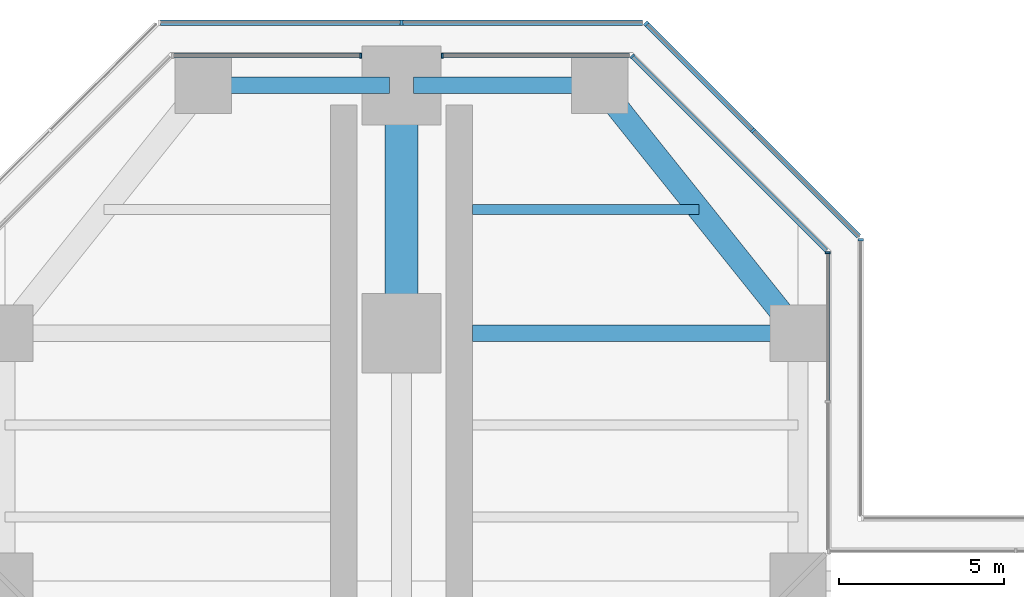
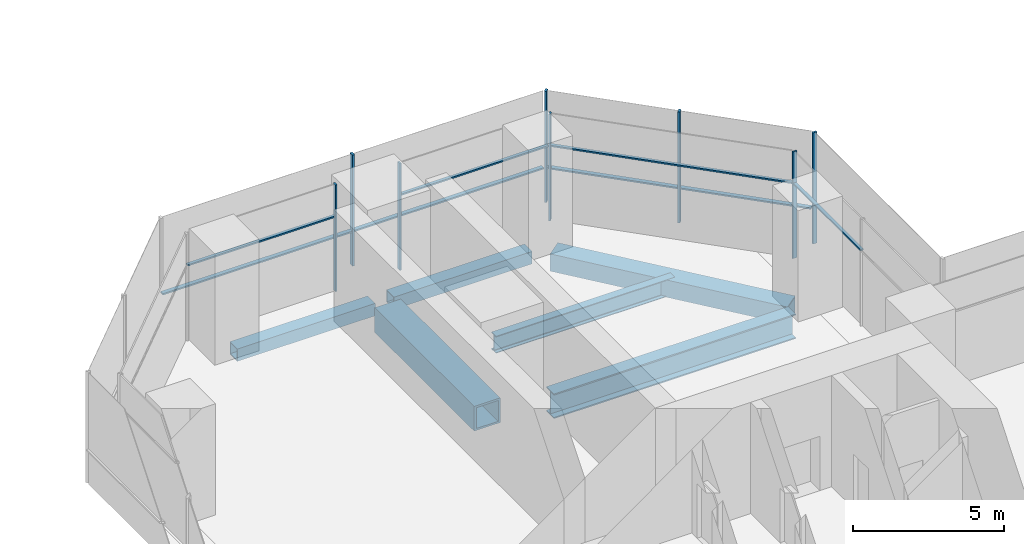
# One storey, part 9 of 34: 16 members, 6 beams, 7 elements without a shape of their own.
"""IFC4 building model written with IfcOpenShell, lengths in metres."""

from ifc_helpers import new_model, si_unit, direction, frame, origin, origin_2d, place, context, subcontext, project, spatial, rectangle, hollow_rectangle, i_section, extrude, material, material_profile, profile_set, type_object, element, aggregate, save


model = new_model("IFC4")

# Units and contexts
model_context = context("Model", 3, precision=1e-05, world=origin(), true_north=direction((0.0, 1.0)))
body_context = subcontext(model_context, "Body", "Model", "MODEL_VIEW")
ifc_project = project(units=[si_unit("LENGTHUNIT", "METRE"), si_unit("AREAUNIT", "SQUARE_METRE"), si_unit("VOLUMEUNIT", "CUBIC_METRE"), si_unit("PLANEANGLEUNIT", "RADIAN"), si_unit("MASSUNIT", "GRAM", prefix="KILO")], contexts=[model_context])

# Site, building, storey
site_placement = place(None, origin())
site = spatial("IfcSite", under=ifc_project, at=site_placement, CompositionType="ELEMENT")
building_placement = place(site_placement, origin())
building = spatial("IfcBuilding", under=site, at=building_placement, Name="Mizan Broadcast Tower", CompositionType="ELEMENT")
storey_placement = place(building_placement, frame((0.0, 0.0, 194.39990234375)))
storey = spatial("IfcBuildingStorey", under=building, at=storey_placement, Name="L45", CompositionType="ELEMENT", Elevation=194.39990234375)

# Beams
ifc_material_1 = material(Name="Steel S355", Category="steel")
ifc_material_profile_1 = material_profile(ifc_material_1, hollow_rectangle(XDim=0.5, YDim=0.5, WallThickness=0.030029296875, at=origin_2d()), Name="BOX 500x500x30")
ifc_profile_set_1 = profile_set([ifc_material_profile_1], Name="Steel S355")
beam_type_1 = type_object("IfcBeamType", Name="EDGE BEAM BOX 500x500x30", PredefinedType="SPANDREL", material=ifc_profile_set_1)
for number, where, z_axis, x_axis, name in (
    (1, (5.639892578125, 27.0, -0.3798828125), (-1.0, 0.0, 0.0), (0.0, -1.0, 0.0), "Edge beam BOX 500x500x30 L45 north arm"),
    (2, (-5.639892578125, 27.0, -0.3798828125), (1.0, 0.0, 0.0), (0.0, 1.0, 0.0), "Edge beam BOX 500x500x30 L45 north arm"),
):
    element("IfcBeam", number, at=place(storey_placement, frame(where, z_axis=z_axis, x_axis=x_axis)), inside=storey, type_object=beam_type_1, Name=name, PredefinedType="SPANDREL", context=body_context, shape_type="SweptSolid", body=[
        extrude(hollow_rectangle(XDim=0.5, YDim=0.5, WallThickness=0.030029296875, at=origin_2d()), origin(), (0.0, 0.0, 1.0), 5.27978515625),
    ])
ifc_material_2 = material(Name="Steel S355", Category="steel")
ifc_material_profile_2 = material_profile(ifc_material_2, hollow_rectangle(XDim=0.699951171875, YDim=0.699951171875, WallThickness=0.0400390625, at=origin_2d()), Name="BOX 700x700x40")
ifc_profile_set_2 = profile_set([ifc_material_profile_2], Name="Steel S355")
beam_type_2 = type_object("IfcBeamType", Name="EDGE BEAM BOX 700x700x40", PredefinedType="SPANDREL", material=ifc_profile_set_2)
beam_1_placement = place(storey_placement, frame((11.639892578125, 19.949951171875, -0.47998046875), z_axis=(-0.624673911726, 0.780885717636, 0.0), x_axis=(-0.780885717636, -0.624673911726, 0.0)))
element("IfcBeam", 3, at=beam_1_placement, inside=storey, type_object=beam_type_2, Name="Edge beam BOX 700x700x40 L45 north arm", PredefinedType="SPANDREL", context=body_context, shape_type="SweptSolid", body=[
    extrude(hollow_rectangle(XDim=0.699951171875, YDim=0.699951171875, WallThickness=0.0400390625, at=origin_2d()), origin(), (0.0, 0.0, 1.0), 8.4521484375),
])
ifc_material_3 = material(Name="Steel S460", Category="steel")
ifc_material_profile_3 = material_profile(ifc_material_3, hollow_rectangle(XDim=1.0, YDim=1.0, WallThickness=0.080078125, at=origin_2d()), Name="BOX 1000x1000x80")
ifc_profile_set_3 = profile_set([ifc_material_profile_3], Name="Steel S460")
beam_type_3 = type_object("IfcBeamType", Name="GIRDER BOX 1000x1000x80", PredefinedType="BEAM", material=ifc_profile_set_3)
beam_2_placement = place(storey_placement, frame((0.0, 19.949951171875, -0.6298828125), z_axis=(0.0, 1.0, 0.0), x_axis=(-1.0, 0.0, 0.0)))
element("IfcBeam", 4, at=beam_2_placement, inside=storey, type_object=beam_type_3, Name="Girder BOX 1000x1000x80 L45 north arm", PredefinedType="BEAM", context=body_context, shape_type="SweptSolid", body=[
    extrude(hollow_rectangle(XDim=1.0, YDim=1.0, WallThickness=0.080078125, at=origin_2d()), origin(), (0.0, 0.0, 1.0), 6.60009765625),
])
ifc_material_4 = material(Name="Steel S460", Category="steel")
ifc_material_profile_4 = material_profile(ifc_material_4, i_section(OverallWidth=0.5, OverallDepth=1.0, WebThickness=0.02490234375, FlangeThickness=0.050048828125, at=origin_2d()), Name="WPG 1000x500")
ifc_profile_set_4 = profile_set([ifc_material_profile_4], Name="Steel S460")
beam_type_4 = type_object("IfcBeamType", Name="GIRDER WPG 1000x500", PredefinedType="BEAM", material=ifc_profile_set_4)
beam_3_placement = place(storey_placement, frame((11.408935546875, 19.5, -0.6298828125), z_axis=(-1.0, 0.0, 0.0), x_axis=(0.0, -1.0, 0.0)))
element("IfcBeam", 5, at=beam_3_placement, inside=storey, type_object=beam_type_4, Name="Girder WPG 1000x500 L45 north arm", PredefinedType="BEAM", context=body_context, shape_type="SweptSolid", body=[
    extrude(i_section(OverallWidth=0.5, OverallDepth=1.0, WebThickness=0.02490234375, FlangeThickness=0.050048828125, at=origin_2d()), origin(), (0.0, 0.0, 1.0), 9.259033203125),
])

# Curtain wall, member
ifc_material_5 = material(Name="Aluminium framed glazing", Category="aluminium")
curtain_wall_type_1 = type_object("IfcCurtainWallType", Name="INNER SKIN HIGH ZONE", PredefinedType="USERDEFINED", material=ifc_material_5)
curtain_wall_1_placement = place(storey_placement, origin())
curtain_wall_1 = element("IfcCurtainWall", 6, at=curtain_wall_1_placement, inside=storey, type_object=curtain_wall_type_1, Name="Inner skin high zone L45 N side", ObjectType="INNER SKIN HIGH ZONE", PredefinedType="USERDEFINED")
ifc_material_6 = material(Name="Aluminium, pale anodised", Category="aluminium")
ifc_material_profile_5 = material_profile(ifc_material_6, rectangle(XDim=0.159912109375, YDim=0.06005859375, at=origin_2d()), Name="MULLION 160x60")
ifc_profile_set_5 = profile_set([ifc_material_profile_5], Name="Aluminium, pale anodised")
member_type_1 = type_object("IfcMemberType", Name="INNER SKIN MULLION 60x160", PredefinedType="MULLION", material=ifc_profile_set_5)
member_1_placement = place(storey_placement, frame((12.89990234375, 21.928466796875, 0.0), z_axis=(0.0, 0.0, 1.0), x_axis=(-1.0, 0.0, 0.0)))
member_1 = element("IfcMember", 7, at=member_1_placement, type_object=member_type_1, Name="Inner skin high zone L45 N side mullion 3", PredefinedType="MULLION", context=body_context, shape_type="SweptSolid", body=[
    extrude(rectangle(XDim=0.159912109375, YDim=0.06005859375, at=origin_2d()), origin(), (0.0, 0.0, 1.0), 4.320068359375),
])

curtain_wall_2_placement = place(storey_placement, origin())
curtain_wall_2 = element("IfcCurtainWall", 8, at=curtain_wall_2_placement, inside=storey, type_object=curtain_wall_type_1, Name="Inner skin high zone L45 N chamfer", ObjectType="INNER SKIN HIGH ZONE", PredefinedType="USERDEFINED")
member_2_placement = place(storey_placement, frame((6.979736328125, 27.87890625, 0.0), z_axis=(0.0, 0.0, 1.0), x_axis=(-0.707106781187, -0.707106781187, 0.0)))
member_2 = element("IfcMember", 9, at=member_2_placement, type_object=member_type_1, Name="Inner skin high zone L45 N chamfer mullion 2", PredefinedType="MULLION", context=body_context, shape_type="SweptSolid", body=[
    extrude(rectangle(XDim=0.159912109375, YDim=0.06005859375, at=origin_2d()), origin(), (0.0, 0.0, 1.0), 4.320068359375),
])

curtain_wall_3_placement = place(storey_placement, origin())
curtain_wall_3 = element("IfcCurtainWall", 10, at=curtain_wall_3_placement, inside=storey, type_object=curtain_wall_type_1, Name="Inner skin high zone L45 N end", ObjectType="INNER SKIN HIGH ZONE", PredefinedType="USERDEFINED")
member_3_placement = place(storey_placement, frame((1.22998046875, 27.89990234375, 0.0), z_axis=(0.0, 0.0, 1.0), x_axis=(0.0, -1.0, 0.0)))
member_3 = element("IfcMember", 11, at=member_3_placement, type_object=member_type_1, Name="Inner skin high zone L45 N end mullion 2", PredefinedType="MULLION", context=body_context, shape_type="SweptSolid", body=[
    extrude(rectangle(XDim=0.159912109375, YDim=0.06005859375, at=origin_2d()), origin(), (0.0, 0.0, 1.0), 4.320068359375),
])

curtain_wall_4_placement = place(storey_placement, origin())
curtain_wall_4 = element("IfcCurtainWall", 12, at=curtain_wall_4_placement, inside=storey, type_object=curtain_wall_type_1, Name="Inner skin high zone L45 N end", ObjectType="INNER SKIN HIGH ZONE", PredefinedType="USERDEFINED")
member_4_placement = place(storey_placement, frame((-1.22998046875, 27.89990234375, 0.0), z_axis=(0.0, 0.0, 1.0), x_axis=(0.0, -1.0, 0.0)))
member_4 = element("IfcMember", 13, at=member_4_placement, type_object=member_type_1, Name="Inner skin high zone L45 N end mullion 1", PredefinedType="MULLION", context=body_context, shape_type="SweptSolid", body=[
    extrude(rectangle(XDim=0.159912109375, YDim=0.06005859375, at=origin_2d()), origin(), (0.0, 0.0, 1.0), 4.320068359375),
])

# Member
ifc_material_7 = material(Name="Aluminium, pale anodised", Category="aluminium")
ifc_material_profile_6 = material_profile(ifc_material_7, rectangle(XDim=0.1201171875, YDim=0.06005859375, at=origin_2d()), Name="TRANSOM 120x60")
ifc_profile_set_6 = profile_set([ifc_material_profile_6], Name="Aluminium, pale anodised")
member_type_2 = type_object("IfcMemberType", Name="INNER SKIN TRANSOM 60x120", PredefinedType="USERDEFINED", material=ifc_profile_set_6)
member_5_placement = place(storey_placement, frame((12.89990234375, 17.459228515625, 3.030029296875), z_axis=(0.0, 1.0, 0.0), x_axis=(-1.0, 0.0, 0.0)))
member_5 = element("IfcMember", 14, at=member_5_placement, type_object=member_type_2, Name="Inner skin high zone L45 N side transom 2.1", ObjectType="TRANSOM", PredefinedType="USERDEFINED", context=body_context, shape_type="SweptSolid", body=[
    extrude(rectangle(XDim=0.1201171875, YDim=0.06005859375, at=origin_2d()), origin(), (0.0, 0.0, 1.0), 4.439453125),
])

aggregate(curtain_wall_1, [member_1, member_5])

member_6_placement = place(storey_placement, frame((12.857666015625, 22.0009765625, 3.030029296875), z_axis=(-0.707106781187, 0.707106781187, 0.0), x_axis=(-0.707106781187, -0.707106781187, 0.0)))
member_6 = element("IfcMember", 15, at=member_6_placement, type_object=member_type_2, Name="Inner skin high zone L45 N chamfer transom 1.1", ObjectType="TRANSOM", PredefinedType="USERDEFINED", context=body_context, shape_type="SweptSolid", body=[
    extrude(rectangle(XDim=0.1201171875, YDim=0.06005859375, at=origin_2d()), origin(), (0.0, 0.0, 1.0), 8.28271484375),
])

aggregate(curtain_wall_2, [member_2, member_6])

member_7_placement = place(storey_placement, frame((6.898681640625, 27.89990234375, 3.030029296875), z_axis=(-1.0, 0.0, 0.0), x_axis=(0.0, -1.0, 0.0)))
member_7 = element("IfcMember", 16, at=member_7_placement, type_object=member_type_2, Name="Inner skin high zone L45 N end transom 1.1", ObjectType="TRANSOM", PredefinedType="USERDEFINED", context=body_context, shape_type="SweptSolid", body=[
    extrude(rectangle(XDim=0.1201171875, YDim=0.06005859375, at=origin_2d()), origin(), (0.0, 0.0, 1.0), 5.638671875),
])

aggregate(curtain_wall_3, [member_3, member_7])

member_8_placement = place(storey_placement, frame((-1.260009765625, 27.89990234375, 3.030029296875), z_axis=(-1.0, 0.0, 0.0), x_axis=(0.0, -1.0, 0.0)))
member_8 = element("IfcMember", 17, at=member_8_placement, type_object=member_type_2, Name="Inner skin high zone L45 N end transom 1.1", ObjectType="TRANSOM", PredefinedType="USERDEFINED", context=body_context, shape_type="SweptSolid", body=[
    extrude(rectangle(XDim=0.1201171875, YDim=0.06005859375, at=origin_2d()), origin(), (0.0, 0.0, 1.0), 5.638671875),
])

aggregate(curtain_wall_4, [member_4, member_8])

# Curtain wall, member
ifc_material_8 = material(Name="Aluminium framed glazing", Category="aluminium")
curtain_wall_type_2 = type_object("IfcCurtainWallType", Name="OUTER SKIN", PredefinedType="USERDEFINED", material=ifc_material_8)
curtain_wall_5_placement = place(storey_placement, origin())
curtain_wall_5 = element("IfcCurtainWall", 18, at=curtain_wall_5_placement, inside=storey, type_object=curtain_wall_type_2, Name="Outer skin L45 N side", ObjectType="OUTER SKIN", PredefinedType="USERDEFINED")
ifc_material_9 = material(Name="Aluminium, pale anodised", Category="aluminium")
ifc_material_profile_7 = material_profile(ifc_material_9, rectangle(XDim=0.159912109375, YDim=0.080078125, at=origin_2d()), Name="MULLION 160x80")
ifc_profile_set_7 = profile_set([ifc_material_profile_7], Name="Aluminium, pale anodised")
member_type_3 = type_object("IfcMemberType", Name="OUTER SKIN MULLION 80x160", PredefinedType="MULLION", material=ifc_profile_set_7)
member_9_placement = place(storey_placement, frame((13.89990234375, 22.332763671875, 0.0), z_axis=(0.0, 0.0, 1.0), x_axis=(-1.0, 0.0, 0.0)))
member_9 = element("IfcMember", 19, at=member_9_placement, type_object=member_type_3, Name="Outer skin L45 N side mullion 2", PredefinedType="MULLION", context=body_context, shape_type="SweptSolid", body=[
    extrude(rectangle(XDim=0.159912109375, YDim=0.080078125, at=origin_2d()), origin(), (0.0, 0.0, 1.0), 4.5),
])
aggregate(curtain_wall_5, [member_9])

# Curtain wall, members
curtain_wall_6_placement = place(storey_placement, origin())
curtain_wall_6 = element("IfcCurtainWall", 20, at=curtain_wall_6_placement, inside=storey, type_object=curtain_wall_type_2, Name="Outer skin L45 N chamfer", ObjectType="OUTER SKIN", PredefinedType="USERDEFINED")
member_10_placement = place(storey_placement, frame((10.636474609375, 25.636474609375, 0.0), z_axis=(0.0, 0.0, 1.0), x_axis=(-0.707106781187, -0.707106781187, 0.0)))
member_10 = element("IfcMember", 21, at=member_10_placement, type_object=member_type_3, Name="Outer skin L45 N chamfer mullion 2", PredefinedType="MULLION", context=body_context, shape_type="SweptSolid", body=[
    extrude(rectangle(XDim=0.159912109375, YDim=0.080078125, at=origin_2d()), origin(), (0.0, 0.0, 1.0), 4.5),
])
member_11_placement = place(storey_placement, frame((7.401123046875, 28.871826171875, 0.0), z_axis=(0.0, 0.0, 1.0), x_axis=(-0.707106781187, -0.707106781187, 0.0)))
member_11 = element("IfcMember", 22, at=member_11_placement, type_object=member_type_3, Name="Outer skin L45 N chamfer mullion 3", PredefinedType="MULLION", context=body_context, shape_type="SweptSolid", body=[
    extrude(rectangle(XDim=0.159912109375, YDim=0.080078125, at=origin_2d()), origin(), (0.0, 0.0, 1.0), 4.5),
])

# Curtain wall, member
curtain_wall_7_placement = place(storey_placement, origin())
curtain_wall_7 = element("IfcCurtainWall", 23, at=curtain_wall_7_placement, inside=storey, type_object=curtain_wall_type_2, Name="Outer skin L45 N end", ObjectType="OUTER SKIN", PredefinedType="USERDEFINED")
member_12_placement = place(storey_placement, frame((0.0, 28.89990234375, 0.0), z_axis=(0.0, 0.0, 1.0), x_axis=(0.0, -1.0, 0.0)))
member_12 = element("IfcMember", 24, at=member_12_placement, type_object=member_type_3, Name="Outer skin L45 N end mullion 2", PredefinedType="MULLION", context=body_context, shape_type="SweptSolid", body=[
    extrude(rectangle(XDim=0.159912109375, YDim=0.080078125, at=origin_2d()), origin(), (0.0, 0.0, 1.0), 4.5),
])

# Member
ifc_material_10 = material(Name="Aluminium, pale anodised", Category="aluminium")
ifc_material_profile_8 = material_profile(ifc_material_10, rectangle(XDim=0.159912109375, YDim=0.06005859375, at=origin_2d()), Name="TRANSOM 160x60")
ifc_profile_set_8 = profile_set([ifc_material_profile_8], Name="Aluminium, pale anodised")
member_type_4 = type_object("IfcMemberType", Name="OUTER SKIN TRANSOM 60x160", PredefinedType="USERDEFINED", material=ifc_profile_set_8)
member_13_placement = place(storey_placement, frame((13.843505859375, 22.429443359375, 1.400146484375), z_axis=(-0.707106781187, 0.707106781187, 0.0), x_axis=(-0.707106781187, -0.707106781187, 0.0)))
member_13 = element("IfcMember", 25, at=member_13_placement, type_object=member_type_4, Name="Outer skin L45 N chamfer transom 1.1", ObjectType="TRANSOM", PredefinedType="USERDEFINED", context=body_context, shape_type="SweptSolid", body=[
    extrude(rectangle(XDim=0.159912109375, YDim=0.06005859375, at=origin_2d()), origin(), (0.0, 0.0, 1.0), 4.495361328125),
])

member_14_placement = place(storey_placement, frame((10.608154296875, 25.664794921875, 1.400146484375), z_axis=(-0.707106781187, 0.707106781187, 0.0), x_axis=(-0.707106781187, -0.707106781187, 0.0)))
member_14 = element("IfcMember", 26, at=member_14_placement, type_object=member_type_4, Name="Outer skin L45 N chamfer transom 2.1", ObjectType="TRANSOM", PredefinedType="USERDEFINED", context=body_context, shape_type="SweptSolid", body=[
    extrude(rectangle(XDim=0.159912109375, YDim=0.06005859375, at=origin_2d()), origin(), (0.0, 0.0, 1.0), 4.495361328125),
])

aggregate(curtain_wall_6, [member_10, member_11, member_13, member_14])

member_15_placement = place(storey_placement, frame((7.292724609375, 28.89990234375, 1.400146484375), z_axis=(-1.0, 0.0, 0.0), x_axis=(0.0, -1.0, 0.0)))
member_15 = element("IfcMember", 27, at=member_15_placement, type_object=member_type_4, Name="Outer skin L45 N end transom 1.1", ObjectType="TRANSOM", PredefinedType="USERDEFINED", context=body_context, shape_type="SweptSolid", body=[
    extrude(rectangle(XDim=0.159912109375, YDim=0.06005859375, at=origin_2d()), origin(), (0.0, 0.0, 1.0), 7.252685546875),
])

member_16_placement = place(storey_placement, frame((-0.0400390625, 28.89990234375, 1.400146484375), z_axis=(-1.0, 0.0, 0.0), x_axis=(0.0, -1.0, 0.0)))
member_16 = element("IfcMember", 28, at=member_16_placement, type_object=member_type_4, Name="Outer skin L45 N end transom 2.1", ObjectType="TRANSOM", PredefinedType="USERDEFINED", context=body_context, shape_type="SweptSolid", body=[
    extrude(rectangle(XDim=0.159912109375, YDim=0.06005859375, at=origin_2d()), origin(), (0.0, 0.0, 1.0), 7.252685546875),
])

aggregate(curtain_wall_7, [member_12, member_15, member_16])

# Beam
ifc_material_11 = material(Name="Steel S355", Category="steel")
ifc_material_profile_9 = material_profile(ifc_material_11, i_section(OverallWidth=0.300048828125, OverallDepth=0.68994140625, WebThickness=0.014404296875, FlangeThickness=0.027099609375, FilletRadius=0.027099609375, at=origin_2d()), Name="HEA 700")
ifc_profile_set_9 = profile_set([ifc_material_profile_9], Name="Steel S355")
beam_type_5 = type_object("IfcBeamType", Name="SECONDARY BEAM HEA 700", PredefinedType="JOIST", material=ifc_profile_set_9)
beam_4_placement = place(storey_placement, frame((9.0, 23.25, -0.474853515625), z_axis=(-1.0, 0.0, 0.0), x_axis=(0.0, -1.0, 0.0)))
element("IfcBeam", 29, at=beam_4_placement, inside=storey, type_object=beam_type_5, Name="Secondary beam HEA 700 L45 north arm", PredefinedType="JOIST", context=body_context, shape_type="SweptSolid", body=[
    extrude(i_section(OverallWidth=0.300048828125, OverallDepth=0.68994140625, WebThickness=0.014404296875, FlangeThickness=0.027099609375, FilletRadius=0.027099609375, at=origin_2d()), origin(), (0.0, 0.0, 1.0), 6.85009765625),
])

save(model, "model.ifc")
